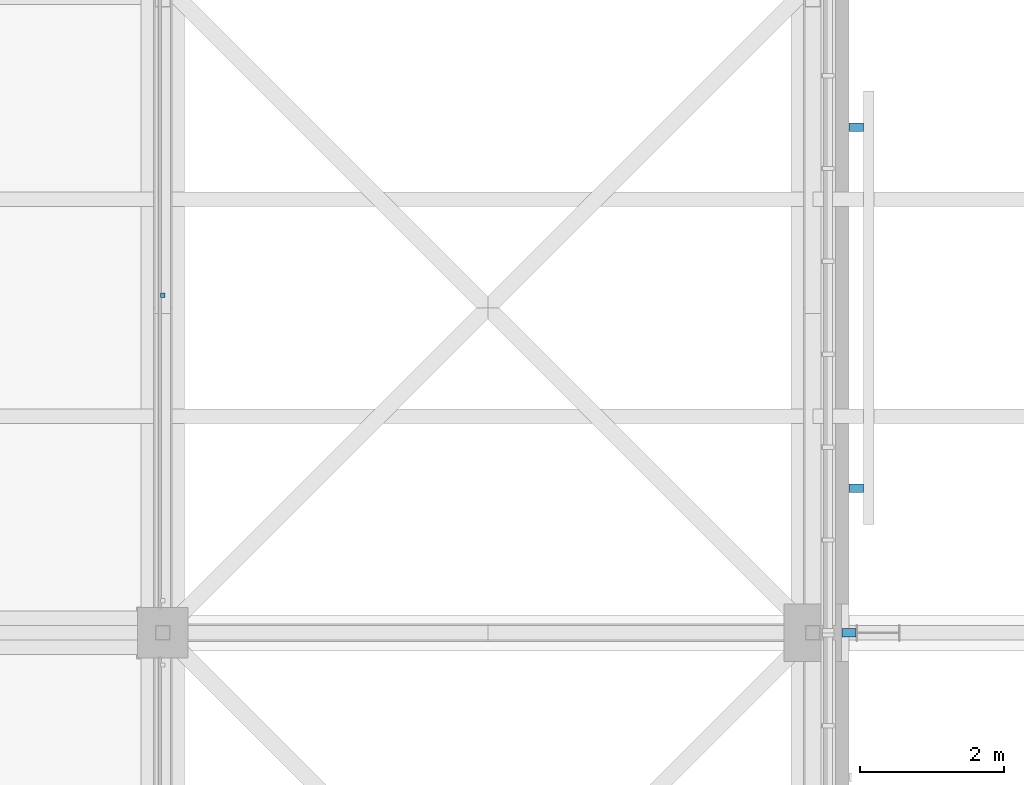
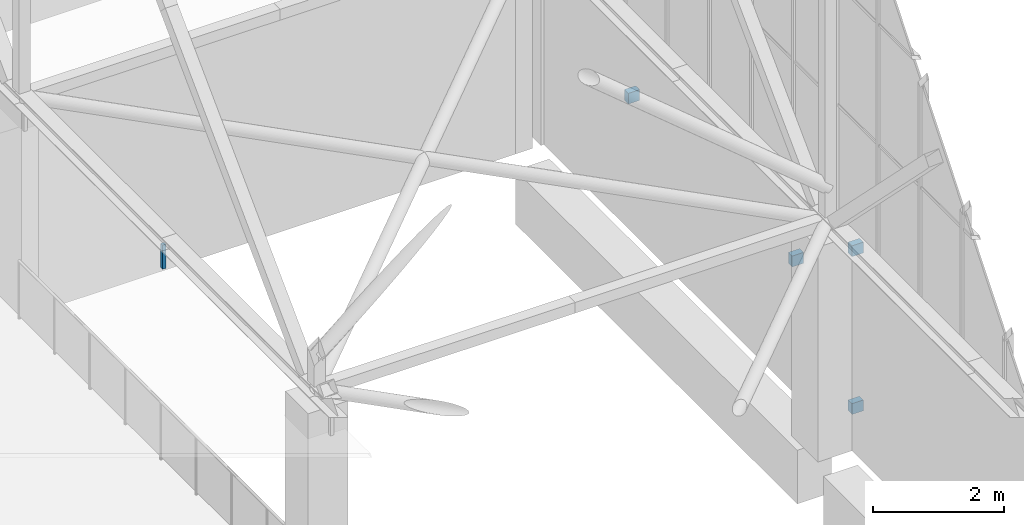
# One storey, part 220 of 646: 5 discrete accessories.
"""IFC4 building model written with IfcOpenShell, lengths in metres."""

from ifc_helpers import new_model, si_unit, direction, frame, origin, origin_2d, place, context, subcontext, project, spatial, rectangle, extrude, material, type_object, element, save


model = new_model("IFC4")

# Units and contexts
model_context = context("Model", 3, precision=1e-05, world=origin(), true_north=direction((0.0, 1.0)))
body_context = subcontext(model_context, "Body", "Model", "MODEL_VIEW")
ifc_project = project(units=[si_unit("LENGTHUNIT", "METRE"), si_unit("AREAUNIT", "SQUARE_METRE"), si_unit("VOLUMEUNIT", "CUBIC_METRE"), si_unit("PLANEANGLEUNIT", "RADIAN"), si_unit("MASSUNIT", "GRAM", prefix="KILO")], contexts=[model_context])

# Site, building, storey
site_placement = place(None, origin())
site = spatial("IfcSite", under=ifc_project, at=site_placement, CompositionType="ELEMENT")
building_placement = place(site_placement, origin())
building = spatial("IfcBuilding", under=site, at=building_placement, Name="Silverbay Arena", CompositionType="ELEMENT")
storey_placement = place(building_placement, frame((0.0, 0.0, 33.5)))
storey = spatial("IfcBuildingStorey", under=building, at=storey_placement, Name="L05", CompositionType="ELEMENT", Elevation=33.5)

# Discrete accessories
ifc_material_1 = material(Name="Steel S355", Category="steel")
discrete_accessory_type_1 = type_object("IfcDiscreteAccessoryType", Name="Ceiling hanger", PredefinedType="BRACKET", material=ifc_material_1)
discrete_accessory_placement = place(storey_placement, frame((198.0, 85.675048828125, 3.5498046875), z_axis=(0.0, 0.0, 1.0), x_axis=(1.0, 0.0, 0.0)))
element("IfcDiscreteAccessory", 1, at=discrete_accessory_placement, inside=storey, type_object=discrete_accessory_type_1, Name="Ceiling hanger", PredefinedType="BRACKET", context=body_context, shape_type="SweptSolid", body=[
    extrude(rectangle(XDim=0.06005859375, YDim=0.06005859375, at=origin_2d()), origin(), (0.0, 0.0, 1.0), 0.449951171875),
])
ifc_material_2 = material(Name="Steel S355", Category="steel")
discrete_accessory_type_2 = type_object("IfcDiscreteAccessoryType", Name="Steel bracket plate", PredefinedType="BRACKET", material=ifc_material_2)
for number, where, z_axis, x_axis, name in (
    (2, (207.60009765625, 83.0, 1.89990234375), (0.0, 0.0, 1.0), (0.0, 1.0, 0.0), "Louvre support bracket"),
    (3, (207.60009765625, 88.0, 1.89990234375), (0.0, 0.0, 1.0), (0.0, 1.0, 0.0), "Louvre support bracket"),
):
    element("IfcDiscreteAccessory", number, at=place(storey_placement, frame(where, z_axis=z_axis, x_axis=x_axis)), inside=storey, type_object=discrete_accessory_type_2, Name=name, PredefinedType="BRACKET", context=body_context, shape_type="SweptSolid", body=[
        extrude(rectangle(XDim=0.1201171875, YDim=0.199951171875, at=origin_2d()), origin(), (0.0, 0.0, 1.0), 0.199951171875),
    ])
for number, where, z_axis, x_axis, name in (
    (4, (207.5, 81.0, 0.39990234375), (0.0, 0.0, 1.0), (1.0, 0.0, 0.0), "Fin bracket"),
    (5, (207.5, 81.0, 3.33984375), (0.0, 0.0, 1.0), (1.0, 0.0, 0.0), "Fin bracket"),
):
    element("IfcDiscreteAccessory", number, at=place(storey_placement, frame(where, z_axis=z_axis, x_axis=x_axis)), inside=storey, type_object=discrete_accessory_type_2, Name=name, PredefinedType="BRACKET", context=body_context, shape_type="SweptSolid", body=[
        extrude(rectangle(XDim=0.199951171875, YDim=0.1201171875, at=origin_2d()), origin(), (0.0, 0.0, 1.0), 0.199951171875),
    ])

save(model, "model.ifc")
